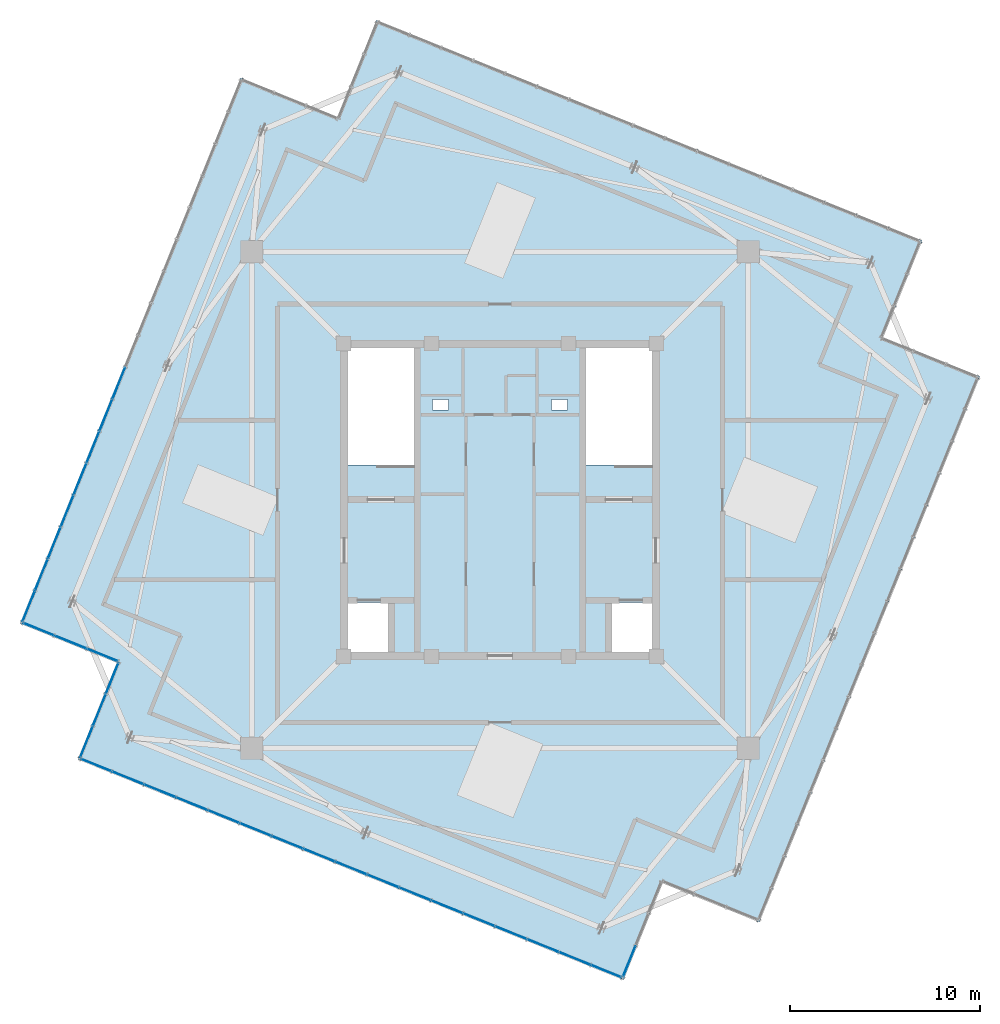
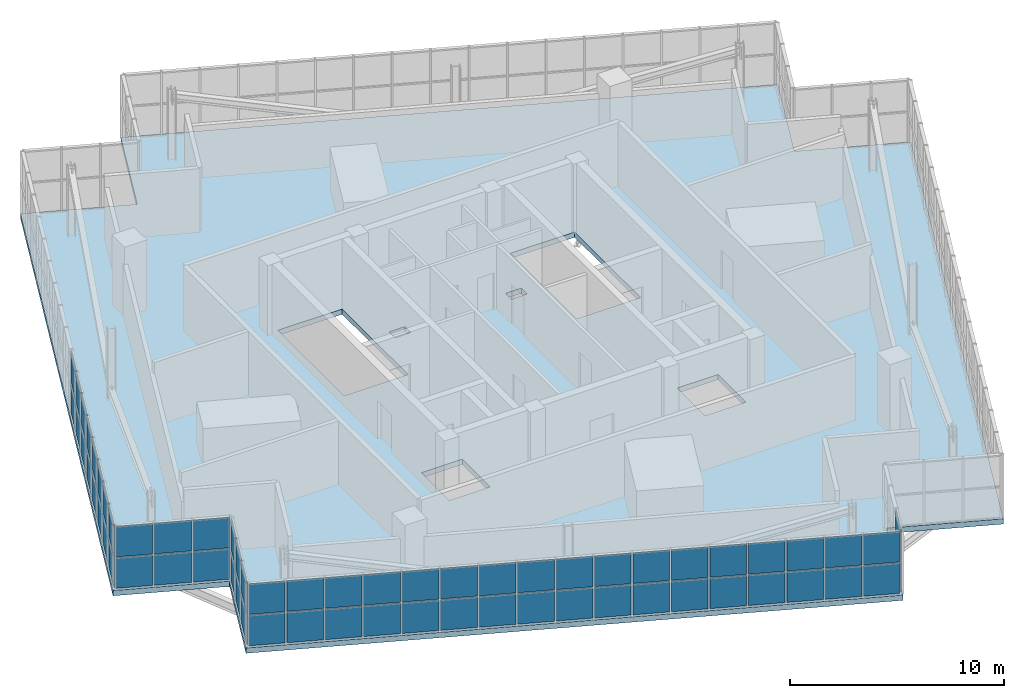
# One storey, part 18 of 26: 64 plates, 1 slab, 5 elements without a shape of their own.
"""IFC4 building model written with IfcOpenShell, lengths in metres."""

from ifc_helpers import new_model, si_unit, direction, frame, origin, origin_2d, place, context, subcontext, project, spatial, polyline, rectangle, outline, extrude, source, transform, mapped, material, layer, layer_set, type_object, element, aggregate, save


model = new_model("IFC4")

# Units and contexts
model_context = context("Model", 3, precision=1e-05, world=origin(), true_north=direction((0.0, 1.0)))
body_context = subcontext(model_context, "Body", "Model", "MODEL_VIEW")
ifc_project = project(units=[si_unit("LENGTHUNIT", "METRE"), si_unit("AREAUNIT", "SQUARE_METRE"), si_unit("VOLUMEUNIT", "CUBIC_METRE"), si_unit("PLANEANGLEUNIT", "RADIAN"), si_unit("MASSUNIT", "GRAM", prefix="KILO"), si_unit("THERMODYNAMICTEMPERATUREUNIT", "KELVIN")], contexts=[model_context])

# Site, building, storey
site_placement = place(None, origin())
site = spatial("IfcSite", under=ifc_project, at=site_placement, CompositionType="ELEMENT")
building_placement = place(site_placement, origin())
building = spatial("IfcBuilding", under=site, at=building_placement, Name="Kosmvard Interchange Tower", CompositionType="ELEMENT")
storey_placement = place(building_placement, frame((0.0, 0.0, 341.60009765625)))
storey = spatial("IfcBuildingStorey", under=building, at=storey_placement, Name="L84", CompositionType="ELEMENT", Elevation=341.60009765625)

# Slab
ifc_material_1 = material(Name="Concrete C50/60", Category="concrete")
ifc_layer_1 = layer(ifc_material_1, 0.300048828125, Name="Concrete C50/60")
ifc_layer_set_1 = layer_set([ifc_layer_1], Name="Concrete C50/60")
slab_type = type_object("IfcSlabType", Name="Crown Plant Equipment Slab 300 C50/60", PredefinedType="FLOOR", material=ifc_layer_set_1)
slab_placement = place(storey_placement, frame((0.0, 0.0, -0.300048828125)))
element("IfcSlab", 1, at=slab_placement, inside=storey, type_object=slab_type, Name="L84 Structural Floor Slab", PredefinedType="FLOOR", context=body_context, shape_type="SweptSolid", body=[
    extrude(outline(polyline([(13.66455078125, -22.238037109375), (25.27734375, 6.504638671875), (20.177734375, 8.56494140625), (22.238037109375, 13.66455078125), (-6.504638671875, 25.27734375), (-8.56494140625, 20.177734375), (-13.66455078125, 22.238037109375), (-25.27734375, -6.504638671875), (-20.177734375, -8.56494140625), (-22.238037109375, -13.66455078125), (6.504638671875, -25.27734375), (8.56494140625, -20.177734375), (13.66455078125, -22.238037109375)]), holes=[polyline([(-8.0, 1.8349609375), (-4.5400390625, 1.8349609375), (-4.5400390625, 8.0), (-8.0, 8.0), (-8.0, 1.8349609375)]), polyline([(4.5400390625, 1.8349609375), (8.0, 1.8349609375), (8.0, 8.0), (4.5400390625, 8.0), (4.5400390625, 1.8349609375)]), polyline([(-8.0, -8.0), (-5.800048828125, -8.0), (-5.800048828125, -5.39990234375), (-8.0, -5.39990234375), (-8.0, -8.0)]), polyline([(5.800048828125, -8.0), (8.0, -8.0), (8.0, -5.39990234375), (5.800048828125, -5.39990234375), (5.800048828125, -8.0)]), polyline([(-3.56494140625, 4.739990234375), (-2.715087890625, 4.739990234375), (-2.715087890625, 5.2900390625), (-3.56494140625, 5.2900390625), (-3.56494140625, 4.739990234375)]), polyline([(2.715087890625, 4.739990234375), (3.56494140625, 4.739990234375), (3.56494140625, 5.2900390625), (2.715087890625, 5.2900390625), (2.715087890625, 4.739990234375)])]), origin(), (0.0, 0.0, 1.0), 0.300048828125),
])

# Curtain wall, plates
ifc_material_2 = material(Name="Architectural anodised aluminium", Category="aluminium")
ifc_layer_2 = layer(ifc_material_2, 0.25, Name="Architectural anodised aluminium")
ifc_layer_set_2 = layer_set([ifc_layer_2], Name="Architectural anodised aluminium")
curtain_wall_type = type_object("IfcCurtainWallType", Name="CW-6 Illuminated Crown Lantern Curtain Wall", PredefinedType="NOTDEFINED", material=ifc_layer_set_2)
curtain_wall_1_placement = place(storey_placement, origin())
curtain_wall_1 = element("IfcCurtainWall", 2, at=curtain_wall_1_placement, inside=storey, type_object=curtain_wall_type, Name="L84 Crown Lantern Glazing Face 07", PredefinedType="NOTDEFINED")
ifc_material_3 = material(Name="Laminated acoustic lantern glazing", Category="glass")
ifc_layer_3 = layer(ifc_material_3, 0.035888671875, Name="Laminated acoustic lantern glazing")
ifc_layer_set_3 = layer_set([ifc_layer_3], Name="Laminated acoustic lantern glazing")
plate_type = type_object("IfcPlateType", Name="Lantern Diffused Illuminated Panel 36", PredefinedType="CURTAIN_PANEL", material=ifc_layer_set_3)
shared_shape_1 = source(origin(), body_context, "Body", "SweptSolid", [
    extrude(rectangle(XDim=1.694091796875, YDim=0.035888671875, at=origin_2d()), origin(), (0.0, 0.0, 1.0), 1.719970703125),
])
plate_1_placement = place(storey_placement, frame((-24.825927734375, -5.600830078125, 0.06982421875), z_axis=(0.0, 0.0, 1.0), x_axis=(-0.374606584758, -0.927183858065, 0.0)))
plate_1 = element("IfcPlate", 3, at=plate_1_placement, type_object=plate_type, Name="CW-6 panel 17.1", PredefinedType="CURTAIN_PANEL", context=body_context, shape_type="MappedRepresentation", body=[
    mapped(shared_shape_1, transform((0.0, 0.0, 0.0), scale=1.0)),
])
plate_2_placement = place(storey_placement, frame((-24.825927734375, -5.600830078125, 1.85986328125), z_axis=(0.0, 0.0, 1.0), x_axis=(-0.374606584758, -0.927183858065, 0.0)))
plate_2 = element("IfcPlate", 4, at=plate_2_placement, type_object=plate_type, Name="CW-6 panel 17.2", PredefinedType="CURTAIN_PANEL", context=body_context, shape_type="MappedRepresentation", body=[
    mapped(shared_shape_1, transform((0.0, 0.0, 0.0), scale=1.0)),
])

curtain_wall_2_placement = place(storey_placement, origin())
curtain_wall_2 = element("IfcCurtainWall", 5, at=curtain_wall_2_placement, inside=storey, type_object=curtain_wall_type, Name="L84 Crown Lantern Glazing Face 10", PredefinedType="NOTDEFINED")
plate_3_placement = place(storey_placement, frame((-21.2744140625, -13.967529296875, 0.06982421875), z_axis=(0.0, 0.0, 1.0), x_axis=(0.927183858065, -0.374606584758, 0.0)))
plate_3 = element("IfcPlate", 6, at=plate_3_placement, type_object=plate_type, Name="CW-6 panel 1.1", PredefinedType="CURTAIN_PANEL", context=body_context, shape_type="MappedRepresentation", body=[
    mapped(shared_shape_1, transform((0.0, 0.0, 0.0), scale=1.0)),
])
plate_4_placement = place(storey_placement, frame((-21.2744140625, -13.967529296875, 1.85986328125), z_axis=(0.0, 0.0, 1.0), x_axis=(0.927183858065, -0.374606584758, 0.0)))
plate_4 = element("IfcPlate", 7, at=plate_4_placement, type_object=plate_type, Name="CW-6 panel 1.2", PredefinedType="CURTAIN_PANEL", context=body_context, shape_type="MappedRepresentation", body=[
    mapped(shared_shape_1, transform((0.0, 0.0, 0.0), scale=1.0)),
])
plate_5_placement = place(storey_placement, frame((5.600830078125, -24.825927734375, 0.06982421875), z_axis=(0.0, 0.0, 1.0), x_axis=(0.927183858065, -0.374606584758, 0.0)))
plate_5 = element("IfcPlate", 8, at=plate_5_placement, type_object=plate_type, Name="CW-6 panel 17.1", PredefinedType="CURTAIN_PANEL", context=body_context, shape_type="MappedRepresentation", body=[
    mapped(shared_shape_1, transform((0.0, 0.0, 0.0), scale=1.0)),
])
plate_6_placement = place(storey_placement, frame((5.600830078125, -24.825927734375, 1.85986328125), z_axis=(0.0, 0.0, 1.0), x_axis=(0.927183858065, -0.374606584758, 0.0)))
plate_6 = element("IfcPlate", 9, at=plate_6_placement, type_object=plate_type, Name="CW-6 panel 17.2", PredefinedType="CURTAIN_PANEL", context=body_context, shape_type="MappedRepresentation", body=[
    mapped(shared_shape_1, transform((0.0, 0.0, 0.0), scale=1.0)),
])

# Plate
shared_shape_2 = source(origin(), body_context, "Body", "SweptSolid", [
    extrude(rectangle(XDim=1.734130859375, YDim=0.035888671875, at=origin_2d()), origin(), (0.0, 0.0, 1.0), 1.719970703125),
])
plate_7_placement = place(storey_placement, frame((-20.076171875, 6.15478515625, 0.06982421875), z_axis=(0.0, 0.0, 1.0), x_axis=(-0.374606584758, -0.927183858065, 0.0)))
plate_7 = element("IfcPlate", 10, at=plate_7_placement, type_object=plate_type, Name="CW-6 panel 10.1", PredefinedType="CURTAIN_PANEL", context=body_context, shape_type="MappedRepresentation", body=[
    mapped(shared_shape_2, transform((0.0, 0.0, 0.0), scale=1.0)),
])

plate_8_placement = place(storey_placement, frame((-20.076171875, 6.15478515625, 1.85986328125), z_axis=(0.0, 0.0, 1.0), x_axis=(-0.374606584758, -0.927183858065, 0.0)))
plate_8 = element("IfcPlate", 11, at=plate_8_placement, type_object=plate_type, Name="CW-6 panel 10.2", PredefinedType="CURTAIN_PANEL", context=body_context, shape_type="MappedRepresentation", body=[
    mapped(shared_shape_2, transform((0.0, 0.0, 0.0), scale=1.0)),
])

plate_9_placement = place(storey_placement, frame((-20.755859375, 4.47265625, 0.06982421875), z_axis=(0.0, 0.0, 1.0), x_axis=(-0.374606584758, -0.927183858065, 0.0)))
plate_9 = element("IfcPlate", 12, at=plate_9_placement, type_object=plate_type, Name="CW-6 panel 11.1", PredefinedType="CURTAIN_PANEL", context=body_context, shape_type="MappedRepresentation", body=[
    mapped(shared_shape_2, transform((0.0, 0.0, 0.0), scale=1.0)),
])

plate_10_placement = place(storey_placement, frame((-20.755859375, 4.47265625, 1.85986328125), z_axis=(0.0, 0.0, 1.0), x_axis=(-0.374606584758, -0.927183858065, 0.0)))
plate_10 = element("IfcPlate", 13, at=plate_10_placement, type_object=plate_type, Name="CW-6 panel 11.2", PredefinedType="CURTAIN_PANEL", context=body_context, shape_type="MappedRepresentation", body=[
    mapped(shared_shape_2, transform((0.0, 0.0, 0.0), scale=1.0)),
])

plate_11_placement = place(storey_placement, frame((-21.435546875, 2.790771484375, 0.06982421875), z_axis=(0.0, 0.0, 1.0), x_axis=(-0.374606584758, -0.927183858065, 0.0)))
plate_11 = element("IfcPlate", 14, at=plate_11_placement, type_object=plate_type, Name="CW-6 panel 12.1", PredefinedType="CURTAIN_PANEL", context=body_context, shape_type="MappedRepresentation", body=[
    mapped(shared_shape_2, transform((0.0, 0.0, 0.0), scale=1.0)),
])

plate_12_placement = place(storey_placement, frame((-21.435546875, 2.790771484375, 1.85986328125), z_axis=(0.0, 0.0, 1.0), x_axis=(-0.374606584758, -0.927183858065, 0.0)))
plate_12 = element("IfcPlate", 15, at=plate_12_placement, type_object=plate_type, Name="CW-6 panel 12.2", PredefinedType="CURTAIN_PANEL", context=body_context, shape_type="MappedRepresentation", body=[
    mapped(shared_shape_2, transform((0.0, 0.0, 0.0), scale=1.0)),
])

plate_13_placement = place(storey_placement, frame((-22.114990234375, 1.108642578125, 0.06982421875), z_axis=(0.0, 0.0, 1.0), x_axis=(-0.374606584758, -0.927183858065, 0.0)))
plate_13 = element("IfcPlate", 16, at=plate_13_placement, type_object=plate_type, Name="CW-6 panel 13.1", PredefinedType="CURTAIN_PANEL", context=body_context, shape_type="MappedRepresentation", body=[
    mapped(shared_shape_2, transform((0.0, 0.0, 0.0), scale=1.0)),
])

plate_14_placement = place(storey_placement, frame((-22.114990234375, 1.108642578125, 1.85986328125), z_axis=(0.0, 0.0, 1.0), x_axis=(-0.374606584758, -0.927183858065, 0.0)))
plate_14 = element("IfcPlate", 17, at=plate_14_placement, type_object=plate_type, Name="CW-6 panel 13.2", PredefinedType="CURTAIN_PANEL", context=body_context, shape_type="MappedRepresentation", body=[
    mapped(shared_shape_2, transform((0.0, 0.0, 0.0), scale=1.0)),
])

plate_15_placement = place(storey_placement, frame((-22.794677734375, -0.5732421875, 0.06982421875), z_axis=(0.0, 0.0, 1.0), x_axis=(-0.374606584758, -0.927183858065, 0.0)))
plate_15 = element("IfcPlate", 18, at=plate_15_placement, type_object=plate_type, Name="CW-6 panel 14.1", PredefinedType="CURTAIN_PANEL", context=body_context, shape_type="MappedRepresentation", body=[
    mapped(shared_shape_2, transform((0.0, 0.0, 0.0), scale=1.0)),
])

plate_16_placement = place(storey_placement, frame((-22.794677734375, -0.5732421875, 1.85986328125), z_axis=(0.0, 0.0, 1.0), x_axis=(-0.374606584758, -0.927183858065, 0.0)))
plate_16 = element("IfcPlate", 19, at=plate_16_placement, type_object=plate_type, Name="CW-6 panel 14.2", PredefinedType="CURTAIN_PANEL", context=body_context, shape_type="MappedRepresentation", body=[
    mapped(shared_shape_2, transform((0.0, 0.0, 0.0), scale=1.0)),
])

plate_17_placement = place(storey_placement, frame((-23.47412109375, -2.25537109375, 0.06982421875), z_axis=(0.0, 0.0, 1.0), x_axis=(-0.374606584758, -0.927183858065, 0.0)))
plate_17 = element("IfcPlate", 20, at=plate_17_placement, type_object=plate_type, Name="CW-6 panel 15.1", PredefinedType="CURTAIN_PANEL", context=body_context, shape_type="MappedRepresentation", body=[
    mapped(shared_shape_2, transform((0.0, 0.0, 0.0), scale=1.0)),
])

plate_18_placement = place(storey_placement, frame((-23.47412109375, -2.25537109375, 1.85986328125), z_axis=(0.0, 0.0, 1.0), x_axis=(-0.374606584758, -0.927183858065, 0.0)))
plate_18 = element("IfcPlate", 21, at=plate_18_placement, type_object=plate_type, Name="CW-6 panel 15.2", PredefinedType="CURTAIN_PANEL", context=body_context, shape_type="MappedRepresentation", body=[
    mapped(shared_shape_2, transform((0.0, 0.0, 0.0), scale=1.0)),
])

plate_19_placement = place(storey_placement, frame((-24.15380859375, -3.937255859375, 0.06982421875), z_axis=(0.0, 0.0, 1.0), x_axis=(-0.374606584758, -0.927183858065, 0.0)))
plate_19 = element("IfcPlate", 22, at=plate_19_placement, type_object=plate_type, Name="CW-6 panel 16.1", PredefinedType="CURTAIN_PANEL", context=body_context, shape_type="MappedRepresentation", body=[
    mapped(shared_shape_2, transform((0.0, 0.0, 0.0), scale=1.0)),
])

plate_20_placement = place(storey_placement, frame((-24.15380859375, -3.937255859375, 1.85986328125), z_axis=(0.0, 0.0, 1.0), x_axis=(-0.374606584758, -0.927183858065, 0.0)))
plate_20 = element("IfcPlate", 23, at=plate_20_placement, type_object=plate_type, Name="CW-6 panel 16.2", PredefinedType="CURTAIN_PANEL", context=body_context, shape_type="MappedRepresentation", body=[
    mapped(shared_shape_2, transform((0.0, 0.0, 0.0), scale=1.0)),
])

aggregate(curtain_wall_1, [plate_7, plate_8, plate_9, plate_10, plate_11, plate_12, plate_13, plate_14, plate_15, plate_16, plate_17, plate_18, plate_19, plate_20, plate_1, plate_2])

plate_21_placement = place(storey_placement, frame((-19.61083984375, -14.6396484375, 0.06982421875), z_axis=(0.0, 0.0, 1.0), x_axis=(0.927183858065, -0.374606584758, 0.0)))
plate_21 = element("IfcPlate", 24, at=plate_21_placement, type_object=plate_type, Name="CW-6 panel 2.1", PredefinedType="CURTAIN_PANEL", context=body_context, shape_type="MappedRepresentation", body=[
    mapped(shared_shape_2, transform((0.0, 0.0, 0.0), scale=1.0)),
])

plate_22_placement = place(storey_placement, frame((-19.61083984375, -14.6396484375, 1.85986328125), z_axis=(0.0, 0.0, 1.0), x_axis=(0.927183858065, -0.374606584758, 0.0)))
plate_22 = element("IfcPlate", 25, at=plate_22_placement, type_object=plate_type, Name="CW-6 panel 2.2", PredefinedType="CURTAIN_PANEL", context=body_context, shape_type="MappedRepresentation", body=[
    mapped(shared_shape_2, transform((0.0, 0.0, 0.0), scale=1.0)),
])

plate_23_placement = place(storey_placement, frame((-17.928955078125, -15.319091796875, 0.06982421875), z_axis=(0.0, 0.0, 1.0), x_axis=(0.927183858065, -0.374606584758, 0.0)))
plate_23 = element("IfcPlate", 26, at=plate_23_placement, type_object=plate_type, Name="CW-6 panel 3.1", PredefinedType="CURTAIN_PANEL", context=body_context, shape_type="MappedRepresentation", body=[
    mapped(shared_shape_2, transform((0.0, 0.0, 0.0), scale=1.0)),
])

plate_24_placement = place(storey_placement, frame((-17.928955078125, -15.319091796875, 1.85986328125), z_axis=(0.0, 0.0, 1.0), x_axis=(0.927183858065, -0.374606584758, 0.0)))
plate_24 = element("IfcPlate", 27, at=plate_24_placement, type_object=plate_type, Name="CW-6 panel 3.2", PredefinedType="CURTAIN_PANEL", context=body_context, shape_type="MappedRepresentation", body=[
    mapped(shared_shape_2, transform((0.0, 0.0, 0.0), scale=1.0)),
])

plate_25_placement = place(storey_placement, frame((-16.246826171875, -15.998779296875, 0.06982421875), z_axis=(0.0, 0.0, 1.0), x_axis=(0.927183858065, -0.374606584758, 0.0)))
plate_25 = element("IfcPlate", 28, at=plate_25_placement, type_object=plate_type, Name="CW-6 panel 4.1", PredefinedType="CURTAIN_PANEL", context=body_context, shape_type="MappedRepresentation", body=[
    mapped(shared_shape_2, transform((0.0, 0.0, 0.0), scale=1.0)),
])

plate_26_placement = place(storey_placement, frame((-16.246826171875, -15.998779296875, 1.85986328125), z_axis=(0.0, 0.0, 1.0), x_axis=(0.927183858065, -0.374606584758, 0.0)))
plate_26 = element("IfcPlate", 29, at=plate_26_placement, type_object=plate_type, Name="CW-6 panel 4.2", PredefinedType="CURTAIN_PANEL", context=body_context, shape_type="MappedRepresentation", body=[
    mapped(shared_shape_2, transform((0.0, 0.0, 0.0), scale=1.0)),
])

plate_27_placement = place(storey_placement, frame((-14.56494140625, -16.678466796875, 0.06982421875), z_axis=(0.0, 0.0, 1.0), x_axis=(0.927183858065, -0.374606584758, 0.0)))
plate_27 = element("IfcPlate", 30, at=plate_27_placement, type_object=plate_type, Name="CW-6 panel 5.1", PredefinedType="CURTAIN_PANEL", context=body_context, shape_type="MappedRepresentation", body=[
    mapped(shared_shape_2, transform((0.0, 0.0, 0.0), scale=1.0)),
])

plate_28_placement = place(storey_placement, frame((-14.56494140625, -16.678466796875, 1.85986328125), z_axis=(0.0, 0.0, 1.0), x_axis=(0.927183858065, -0.374606584758, 0.0)))
plate_28 = element("IfcPlate", 31, at=plate_28_placement, type_object=plate_type, Name="CW-6 panel 5.2", PredefinedType="CURTAIN_PANEL", context=body_context, shape_type="MappedRepresentation", body=[
    mapped(shared_shape_2, transform((0.0, 0.0, 0.0), scale=1.0)),
])

plate_29_placement = place(storey_placement, frame((-12.8828125, -17.35791015625, 0.06982421875), z_axis=(0.0, 0.0, 1.0), x_axis=(0.927183858065, -0.374606584758, 0.0)))
plate_29 = element("IfcPlate", 32, at=plate_29_placement, type_object=plate_type, Name="CW-6 panel 6.1", PredefinedType="CURTAIN_PANEL", context=body_context, shape_type="MappedRepresentation", body=[
    mapped(shared_shape_2, transform((0.0, 0.0, 0.0), scale=1.0)),
])

plate_30_placement = place(storey_placement, frame((-12.8828125, -17.35791015625, 1.85986328125), z_axis=(0.0, 0.0, 1.0), x_axis=(0.927183858065, -0.374606584758, 0.0)))
plate_30 = element("IfcPlate", 33, at=plate_30_placement, type_object=plate_type, Name="CW-6 panel 6.2", PredefinedType="CURTAIN_PANEL", context=body_context, shape_type="MappedRepresentation", body=[
    mapped(shared_shape_2, transform((0.0, 0.0, 0.0), scale=1.0)),
])

plate_31_placement = place(storey_placement, frame((-11.200927734375, -18.03759765625, 0.06982421875), z_axis=(0.0, 0.0, 1.0), x_axis=(0.927183858065, -0.374606584758, 0.0)))
plate_31 = element("IfcPlate", 34, at=plate_31_placement, type_object=plate_type, Name="CW-6 panel 7.1", PredefinedType="CURTAIN_PANEL", context=body_context, shape_type="MappedRepresentation", body=[
    mapped(shared_shape_2, transform((0.0, 0.0, 0.0), scale=1.0)),
])

plate_32_placement = place(storey_placement, frame((-11.200927734375, -18.03759765625, 1.85986328125), z_axis=(0.0, 0.0, 1.0), x_axis=(0.927183858065, -0.374606584758, 0.0)))
plate_32 = element("IfcPlate", 35, at=plate_32_placement, type_object=plate_type, Name="CW-6 panel 7.2", PredefinedType="CURTAIN_PANEL", context=body_context, shape_type="MappedRepresentation", body=[
    mapped(shared_shape_2, transform((0.0, 0.0, 0.0), scale=1.0)),
])

plate_33_placement = place(storey_placement, frame((-9.518798828125, -18.717041015625, 0.06982421875), z_axis=(0.0, 0.0, 1.0), x_axis=(0.927183858065, -0.374606584758, 0.0)))
plate_33 = element("IfcPlate", 36, at=plate_33_placement, type_object=plate_type, Name="CW-6 panel 8.1", PredefinedType="CURTAIN_PANEL", context=body_context, shape_type="MappedRepresentation", body=[
    mapped(shared_shape_2, transform((0.0, 0.0, 0.0), scale=1.0)),
])

plate_34_placement = place(storey_placement, frame((-9.518798828125, -18.717041015625, 1.85986328125), z_axis=(0.0, 0.0, 1.0), x_axis=(0.927183858065, -0.374606584758, 0.0)))
plate_34 = element("IfcPlate", 37, at=plate_34_placement, type_object=plate_type, Name="CW-6 panel 8.2", PredefinedType="CURTAIN_PANEL", context=body_context, shape_type="MappedRepresentation", body=[
    mapped(shared_shape_2, transform((0.0, 0.0, 0.0), scale=1.0)),
])

plate_35_placement = place(storey_placement, frame((-7.836669921875, -19.396728515625, 0.06982421875), z_axis=(0.0, 0.0, 1.0), x_axis=(0.927183858065, -0.374606584758, 0.0)))
plate_35 = element("IfcPlate", 38, at=plate_35_placement, type_object=plate_type, Name="CW-6 panel 9.1", PredefinedType="CURTAIN_PANEL", context=body_context, shape_type="MappedRepresentation", body=[
    mapped(shared_shape_2, transform((0.0, 0.0, 0.0), scale=1.0)),
])

plate_36_placement = place(storey_placement, frame((-7.836669921875, -19.396728515625, 1.85986328125), z_axis=(0.0, 0.0, 1.0), x_axis=(0.927183858065, -0.374606584758, 0.0)))
plate_36 = element("IfcPlate", 39, at=plate_36_placement, type_object=plate_type, Name="CW-6 panel 9.2", PredefinedType="CURTAIN_PANEL", context=body_context, shape_type="MappedRepresentation", body=[
    mapped(shared_shape_2, transform((0.0, 0.0, 0.0), scale=1.0)),
])

plate_37_placement = place(storey_placement, frame((-6.15478515625, -20.076171875, 0.06982421875), z_axis=(0.0, 0.0, 1.0), x_axis=(0.927183858065, -0.374606584758, 0.0)))
plate_37 = element("IfcPlate", 40, at=plate_37_placement, type_object=plate_type, Name="CW-6 panel 10.1", PredefinedType="CURTAIN_PANEL", context=body_context, shape_type="MappedRepresentation", body=[
    mapped(shared_shape_2, transform((0.0, 0.0, 0.0), scale=1.0)),
])

plate_38_placement = place(storey_placement, frame((-6.15478515625, -20.076171875, 1.85986328125), z_axis=(0.0, 0.0, 1.0), x_axis=(0.927183858065, -0.374606584758, 0.0)))
plate_38 = element("IfcPlate", 41, at=plate_38_placement, type_object=plate_type, Name="CW-6 panel 10.2", PredefinedType="CURTAIN_PANEL", context=body_context, shape_type="MappedRepresentation", body=[
    mapped(shared_shape_2, transform((0.0, 0.0, 0.0), scale=1.0)),
])

plate_39_placement = place(storey_placement, frame((-4.47265625, -20.755859375, 0.06982421875), z_axis=(0.0, 0.0, 1.0), x_axis=(0.927183858065, -0.374606584758, 0.0)))
plate_39 = element("IfcPlate", 42, at=plate_39_placement, type_object=plate_type, Name="CW-6 panel 11.1", PredefinedType="CURTAIN_PANEL", context=body_context, shape_type="MappedRepresentation", body=[
    mapped(shared_shape_2, transform((0.0, 0.0, 0.0), scale=1.0)),
])

plate_40_placement = place(storey_placement, frame((-4.47265625, -20.755859375, 1.85986328125), z_axis=(0.0, 0.0, 1.0), x_axis=(0.927183858065, -0.374606584758, 0.0)))
plate_40 = element("IfcPlate", 43, at=plate_40_placement, type_object=plate_type, Name="CW-6 panel 11.2", PredefinedType="CURTAIN_PANEL", context=body_context, shape_type="MappedRepresentation", body=[
    mapped(shared_shape_2, transform((0.0, 0.0, 0.0), scale=1.0)),
])

plate_41_placement = place(storey_placement, frame((-2.790771484375, -21.435546875, 0.06982421875), z_axis=(0.0, 0.0, 1.0), x_axis=(0.927183858065, -0.374606584758, 0.0)))
plate_41 = element("IfcPlate", 44, at=plate_41_placement, type_object=plate_type, Name="CW-6 panel 12.1", PredefinedType="CURTAIN_PANEL", context=body_context, shape_type="MappedRepresentation", body=[
    mapped(shared_shape_2, transform((0.0, 0.0, 0.0), scale=1.0)),
])

plate_42_placement = place(storey_placement, frame((-2.790771484375, -21.435546875, 1.85986328125), z_axis=(0.0, 0.0, 1.0), x_axis=(0.927183858065, -0.374606584758, 0.0)))
plate_42 = element("IfcPlate", 45, at=plate_42_placement, type_object=plate_type, Name="CW-6 panel 12.2", PredefinedType="CURTAIN_PANEL", context=body_context, shape_type="MappedRepresentation", body=[
    mapped(shared_shape_2, transform((0.0, 0.0, 0.0), scale=1.0)),
])

plate_43_placement = place(storey_placement, frame((-1.108642578125, -22.114990234375, 0.06982421875), z_axis=(0.0, 0.0, 1.0), x_axis=(0.927183858065, -0.374606584758, 0.0)))
plate_43 = element("IfcPlate", 46, at=plate_43_placement, type_object=plate_type, Name="CW-6 panel 13.1", PredefinedType="CURTAIN_PANEL", context=body_context, shape_type="MappedRepresentation", body=[
    mapped(shared_shape_2, transform((0.0, 0.0, 0.0), scale=1.0)),
])

plate_44_placement = place(storey_placement, frame((-1.108642578125, -22.114990234375, 1.85986328125), z_axis=(0.0, 0.0, 1.0), x_axis=(0.927183858065, -0.374606584758, 0.0)))
plate_44 = element("IfcPlate", 47, at=plate_44_placement, type_object=plate_type, Name="CW-6 panel 13.2", PredefinedType="CURTAIN_PANEL", context=body_context, shape_type="MappedRepresentation", body=[
    mapped(shared_shape_2, transform((0.0, 0.0, 0.0), scale=1.0)),
])

plate_45_placement = place(storey_placement, frame((0.5732421875, -22.794677734375, 0.06982421875), z_axis=(0.0, 0.0, 1.0), x_axis=(0.927183858065, -0.374606584758, 0.0)))
plate_45 = element("IfcPlate", 48, at=plate_45_placement, type_object=plate_type, Name="CW-6 panel 14.1", PredefinedType="CURTAIN_PANEL", context=body_context, shape_type="MappedRepresentation", body=[
    mapped(shared_shape_2, transform((0.0, 0.0, 0.0), scale=1.0)),
])

plate_46_placement = place(storey_placement, frame((0.5732421875, -22.794677734375, 1.85986328125), z_axis=(0.0, 0.0, 1.0), x_axis=(0.927183858065, -0.374606584758, 0.0)))
plate_46 = element("IfcPlate", 49, at=plate_46_placement, type_object=plate_type, Name="CW-6 panel 14.2", PredefinedType="CURTAIN_PANEL", context=body_context, shape_type="MappedRepresentation", body=[
    mapped(shared_shape_2, transform((0.0, 0.0, 0.0), scale=1.0)),
])

plate_47_placement = place(storey_placement, frame((2.25537109375, -23.47412109375, 0.06982421875), z_axis=(0.0, 0.0, 1.0), x_axis=(0.927183858065, -0.374606584758, 0.0)))
plate_47 = element("IfcPlate", 50, at=plate_47_placement, type_object=plate_type, Name="CW-6 panel 15.1", PredefinedType="CURTAIN_PANEL", context=body_context, shape_type="MappedRepresentation", body=[
    mapped(shared_shape_2, transform((0.0, 0.0, 0.0), scale=1.0)),
])

plate_48_placement = place(storey_placement, frame((2.25537109375, -23.47412109375, 1.85986328125), z_axis=(0.0, 0.0, 1.0), x_axis=(0.927183858065, -0.374606584758, 0.0)))
plate_48 = element("IfcPlate", 51, at=plate_48_placement, type_object=plate_type, Name="CW-6 panel 15.2", PredefinedType="CURTAIN_PANEL", context=body_context, shape_type="MappedRepresentation", body=[
    mapped(shared_shape_2, transform((0.0, 0.0, 0.0), scale=1.0)),
])

plate_49_placement = place(storey_placement, frame((3.937255859375, -24.15380859375, 0.06982421875), z_axis=(0.0, 0.0, 1.0), x_axis=(0.927183858065, -0.374606584758, 0.0)))
plate_49 = element("IfcPlate", 52, at=plate_49_placement, type_object=plate_type, Name="CW-6 panel 16.1", PredefinedType="CURTAIN_PANEL", context=body_context, shape_type="MappedRepresentation", body=[
    mapped(shared_shape_2, transform((0.0, 0.0, 0.0), scale=1.0)),
])

plate_50_placement = place(storey_placement, frame((3.937255859375, -24.15380859375, 1.85986328125), z_axis=(0.0, 0.0, 1.0), x_axis=(0.927183858065, -0.374606584758, 0.0)))
plate_50 = element("IfcPlate", 53, at=plate_50_placement, type_object=plate_type, Name="CW-6 panel 16.2", PredefinedType="CURTAIN_PANEL", context=body_context, shape_type="MappedRepresentation", body=[
    mapped(shared_shape_2, transform((0.0, 0.0, 0.0), scale=1.0)),
])

aggregate(curtain_wall_2, [plate_3, plate_4, plate_21, plate_22, plate_23, plate_24, plate_25, plate_26, plate_27, plate_28, plate_29, plate_30, plate_31, plate_32, plate_33, plate_34, plate_35, plate_36, plate_37, plate_38, plate_39, plate_40, plate_41, plate_42, plate_43, plate_44, plate_45, plate_46, plate_47, plate_48, plate_49, plate_50, plate_5, plate_6])

# Curtain wall, plates
curtain_wall_3_placement = place(storey_placement, origin())
curtain_wall_3 = element("IfcCurtainWall", 54, at=curtain_wall_3_placement, inside=storey, type_object=curtain_wall_type, Name="L84 Crown Lantern Glazing Face 08", PredefinedType="NOTDEFINED")
shared_shape_3 = source(origin(), body_context, "Body", "SweptSolid", [
    extrude(rectangle(XDim=1.71337890625, YDim=0.035888671875, at=origin_2d()), origin(), (0.0, 0.0, 1.0), 1.719970703125),
])
plate_51_placement = place(storey_placement, frame((-24.3046875, -6.811279296875, 0.06982421875), z_axis=(0.0, 0.0, 1.0), x_axis=(0.92718386612, -0.374606564822, 0.0)))
plate_51 = element("IfcPlate", 55, at=plate_51_placement, type_object=plate_type, Name="CW-6 panel 1.1", PredefinedType="CURTAIN_PANEL", context=body_context, shape_type="MappedRepresentation", body=[
    mapped(shared_shape_3, transform((0.0, 0.0, 0.0), scale=1.0)),
])
plate_52_placement = place(storey_placement, frame((-24.3046875, -6.811279296875, 1.85986328125), z_axis=(0.0, 0.0, 1.0), x_axis=(0.92718386612, -0.374606564822, 0.0)))
plate_52 = element("IfcPlate", 56, at=plate_52_placement, type_object=plate_type, Name="CW-6 panel 1.2", PredefinedType="CURTAIN_PANEL", context=body_context, shape_type="MappedRepresentation", body=[
    mapped(shared_shape_3, transform((0.0, 0.0, 0.0), scale=1.0)),
])
plate_53_placement = place(storey_placement, frame((-20.942138671875, -8.169921875, 0.06982421875), z_axis=(0.0, 0.0, 1.0), x_axis=(0.92718386612, -0.374606564822, 0.0)))
plate_53 = element("IfcPlate", 57, at=plate_53_placement, type_object=plate_type, Name="CW-6 panel 3.1", PredefinedType="CURTAIN_PANEL", context=body_context, shape_type="MappedRepresentation", body=[
    mapped(shared_shape_3, transform((0.0, 0.0, 0.0), scale=1.0)),
])
plate_54_placement = place(storey_placement, frame((-20.942138671875, -8.169921875, 1.85986328125), z_axis=(0.0, 0.0, 1.0), x_axis=(0.92718386612, -0.374606564822, 0.0)))
plate_54 = element("IfcPlate", 58, at=plate_54_placement, type_object=plate_type, Name="CW-6 panel 3.2", PredefinedType="CURTAIN_PANEL", context=body_context, shape_type="MappedRepresentation", body=[
    mapped(shared_shape_3, transform((0.0, 0.0, 0.0), scale=1.0)),
])

curtain_wall_4_placement = place(storey_placement, origin())
curtain_wall_4 = element("IfcCurtainWall", 59, at=curtain_wall_4_placement, inside=storey, type_object=curtain_wall_type, Name="L84 Crown Lantern Glazing Face 09", PredefinedType="NOTDEFINED")
plate_55_placement = place(storey_placement, frame((-20.424560546875, -9.38916015625, 0.06982421875), z_axis=(0.0, 0.0, 1.0), x_axis=(-0.374606501678, -0.927183891631, 0.0)))
plate_55 = element("IfcPlate", 60, at=plate_55_placement, type_object=plate_type, Name="CW-6 panel 1.1", PredefinedType="CURTAIN_PANEL", context=body_context, shape_type="MappedRepresentation", body=[
    mapped(shared_shape_3, transform((0.0, 0.0, 0.0), scale=1.0)),
])
plate_56_placement = place(storey_placement, frame((-20.424560546875, -9.38916015625, 1.85986328125), z_axis=(0.0, 0.0, 1.0), x_axis=(-0.374606501678, -0.927183891631, 0.0)))
plate_56 = element("IfcPlate", 61, at=plate_56_placement, type_object=plate_type, Name="CW-6 panel 1.2", PredefinedType="CURTAIN_PANEL", context=body_context, shape_type="MappedRepresentation", body=[
    mapped(shared_shape_3, transform((0.0, 0.0, 0.0), scale=1.0)),
])
plate_57_placement = place(storey_placement, frame((-21.782958984375, -12.751708984375, 0.06982421875), z_axis=(0.0, 0.0, 1.0), x_axis=(-0.374606501678, -0.927183891631, 0.0)))
plate_57 = element("IfcPlate", 62, at=plate_57_placement, type_object=plate_type, Name="CW-6 panel 3.1", PredefinedType="CURTAIN_PANEL", context=body_context, shape_type="MappedRepresentation", body=[
    mapped(shared_shape_3, transform((0.0, 0.0, 0.0), scale=1.0)),
])
plate_58_placement = place(storey_placement, frame((-21.782958984375, -12.751708984375, 1.85986328125), z_axis=(0.0, 0.0, 1.0), x_axis=(-0.374606501678, -0.927183891631, 0.0)))
plate_58 = element("IfcPlate", 63, at=plate_58_placement, type_object=plate_type, Name="CW-6 panel 3.2", PredefinedType="CURTAIN_PANEL", context=body_context, shape_type="MappedRepresentation", body=[
    mapped(shared_shape_3, transform((0.0, 0.0, 0.0), scale=1.0)),
])

curtain_wall_5_placement = place(storey_placement, origin())
curtain_wall_5 = element("IfcCurtainWall", 64, at=curtain_wall_5_placement, inside=storey, type_object=curtain_wall_type, Name="L84 Crown Lantern Glazing Face 11", PredefinedType="NOTDEFINED")
plate_59_placement = place(storey_placement, frame((6.811279296875, -24.3046875, 0.06982421875), z_axis=(0.0, 0.0, 1.0), x_axis=(0.374606564822, 0.92718386612, 0.0)))
plate_59 = element("IfcPlate", 65, at=plate_59_placement, type_object=plate_type, Name="CW-6 panel 1.1", PredefinedType="CURTAIN_PANEL", context=body_context, shape_type="MappedRepresentation", body=[
    mapped(shared_shape_3, transform((0.0, 0.0, 0.0), scale=1.0)),
])
plate_60_placement = place(storey_placement, frame((6.811279296875, -24.3046875, 1.85986328125), z_axis=(0.0, 0.0, 1.0), x_axis=(0.374606564822, 0.92718386612, 0.0)))
plate_60 = element("IfcPlate", 66, at=plate_60_placement, type_object=plate_type, Name="CW-6 panel 1.2", PredefinedType="CURTAIN_PANEL", context=body_context, shape_type="MappedRepresentation", body=[
    mapped(shared_shape_3, transform((0.0, 0.0, 0.0), scale=1.0)),
])
aggregate(curtain_wall_5, [plate_59, plate_60])

# Plate
shared_shape_4 = source(origin(), body_context, "Body", "SweptSolid", [
    extrude(rectangle(XDim=1.75341796875, YDim=0.035888671875, at=origin_2d()), origin(), (0.0, 0.0, 1.0), 1.719970703125),
])
plate_61_placement = place(storey_placement, frame((-22.623291015625, -7.490478515625, 0.06982421875), z_axis=(0.0, 0.0, 1.0), x_axis=(0.92718386612, -0.374606564822, 0.0)))
plate_61 = element("IfcPlate", 67, at=plate_61_placement, type_object=plate_type, Name="CW-6 panel 2.1", PredefinedType="CURTAIN_PANEL", context=body_context, shape_type="MappedRepresentation", body=[
    mapped(shared_shape_4, transform((0.0, 0.0, 0.0), scale=1.0)),
])

plate_62_placement = place(storey_placement, frame((-22.623291015625, -7.490478515625, 1.85986328125), z_axis=(0.0, 0.0, 1.0), x_axis=(0.92718386612, -0.374606564822, 0.0)))
plate_62 = element("IfcPlate", 68, at=plate_62_placement, type_object=plate_type, Name="CW-6 panel 2.2", PredefinedType="CURTAIN_PANEL", context=body_context, shape_type="MappedRepresentation", body=[
    mapped(shared_shape_4, transform((0.0, 0.0, 0.0), scale=1.0)),
])

aggregate(curtain_wall_3, [plate_51, plate_52, plate_61, plate_62, plate_53, plate_54])

plate_63_placement = place(storey_placement, frame((-21.103759765625, -11.070556640625, 0.06982421875), z_axis=(0.0, 0.0, 1.0), x_axis=(-0.374606501678, -0.927183891631, 0.0)))
plate_63 = element("IfcPlate", 69, at=plate_63_placement, type_object=plate_type, Name="CW-6 panel 2.1", PredefinedType="CURTAIN_PANEL", context=body_context, shape_type="MappedRepresentation", body=[
    mapped(shared_shape_4, transform((0.0, 0.0, 0.0), scale=1.0)),
])

plate_64_placement = place(storey_placement, frame((-21.103759765625, -11.070556640625, 1.85986328125), z_axis=(0.0, 0.0, 1.0), x_axis=(-0.374606501678, -0.927183891631, 0.0)))
plate_64 = element("IfcPlate", 70, at=plate_64_placement, type_object=plate_type, Name="CW-6 panel 2.2", PredefinedType="CURTAIN_PANEL", context=body_context, shape_type="MappedRepresentation", body=[
    mapped(shared_shape_4, transform((0.0, 0.0, 0.0), scale=1.0)),
])

aggregate(curtain_wall_4, [plate_55, plate_56, plate_63, plate_64, plate_57, plate_58])

save(model, "model.ifc")
